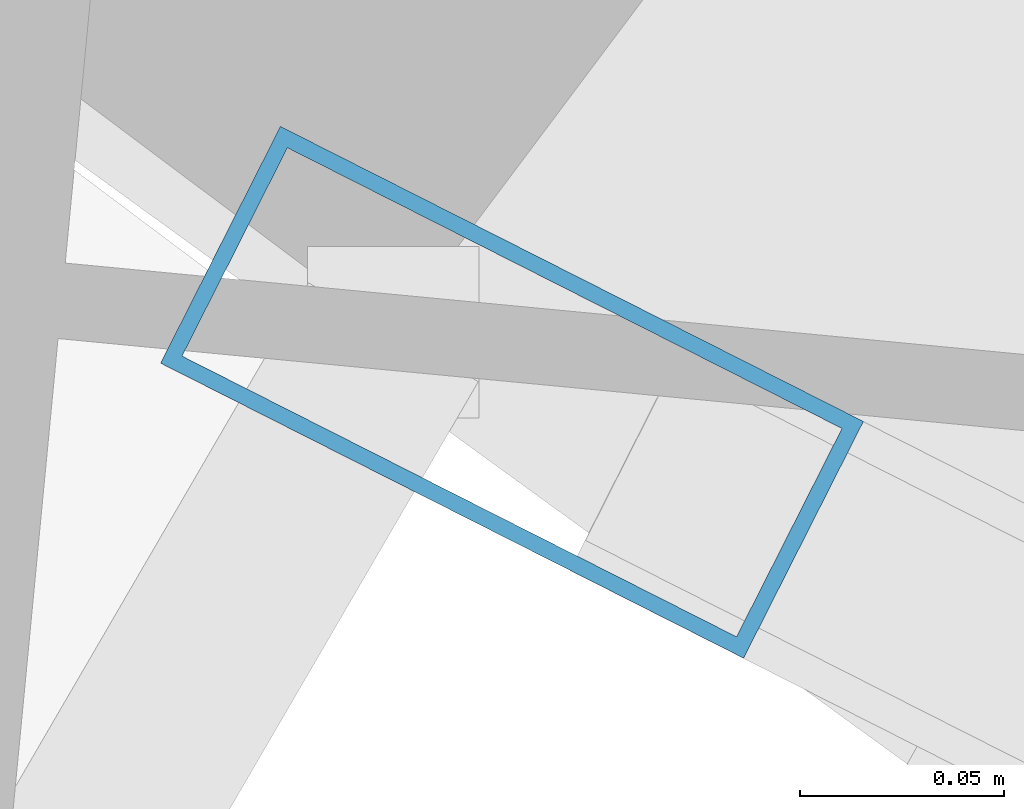
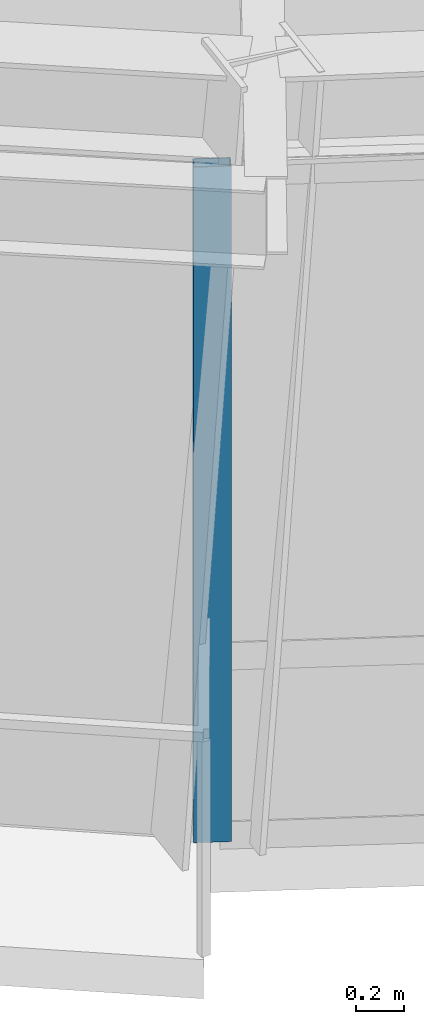
# One storey, part 2 of 21: 1 member, 1 element without a shape of its own.
"""IFC4 building model written with IfcOpenShell, lengths in metres."""

from ifc_helpers import new_model, si_unit, direction, frame, origin, origin_2d, place, context, subcontext, project, spatial, hollow_rectangle, extrude, source, transform, mapped, material, material_profile, profile_set, type_object, element, aggregate, save


model = new_model("IFC4")

# Units and contexts
model_context = context("Model", 3, precision=1e-05, world=origin(), true_north=direction((0.0, 1.0)))
body_context = subcontext(model_context, "Body", "Model", "MODEL_VIEW")
ifc_project = project(units=[si_unit("LENGTHUNIT", "METRE"), si_unit("AREAUNIT", "SQUARE_METRE"), si_unit("VOLUMEUNIT", "CUBIC_METRE"), si_unit("PLANEANGLEUNIT", "RADIAN"), si_unit("MASSUNIT", "GRAM", prefix="KILO")], contexts=[model_context])

# Site, building, storey
site_placement = place(None, origin())
site = spatial("IfcSite", under=ifc_project, at=site_placement, CompositionType="ELEMENT")
building_placement = place(site_placement, origin())
building = spatial("IfcBuilding", under=site, at=building_placement, Name="Olszyna Solenne Hotel", CompositionType="ELEMENT")
storey_placement = place(building_placement, frame((0.0, 0.0, 277.699951171875)))
storey = spatial("IfcBuildingStorey", under=building, at=storey_placement, Name="L74", CompositionType="ELEMENT", Elevation=277.699951171875)

# Curtain wall, member
ifc_material = material(Name="Anodised bronze aluminium", Category="aluminium")
curtain_wall_type = type_object("IfcCurtainWallType", Name="CW-SYS-7", PredefinedType="NOTDEFINED", material=ifc_material)
curtain_wall_placement = place(storey_placement, origin())
curtain_wall = element("IfcCurtainWall", 1, at=curtain_wall_placement, inside=storey, type_object=curtain_wall_type, Name="Unitised curtain wall CW-SYS-7 CW-L74-01", PredefinedType="NOTDEFINED")
ifc_material_profile = material_profile(ifc_material, hollow_rectangle(XDim=0.06494140625, YDim=0.159912109375, WallThickness=0.00390625, at=origin_2d()), Name="MULL 160x65x4", Category="load-bearing")
ifc_profile_set = profile_set([ifc_material_profile], Name="Anodised bronze aluminium")
member_type = type_object("IfcMemberType", Name="CW-M3", PredefinedType="MULLION", material=ifc_profile_set)
shared_shape = source(origin(), body_context, "Body", "SweptSolid", [
    extrude(hollow_rectangle(XDim=0.06494140625, YDim=0.159912109375, WallThickness=0.00390625, at=origin_2d()), origin(), (0.0, 0.0, 1.0), 3.462158203125),
])
member_placement = place(storey_placement, frame((30.005615234375, 12.874755859375, 0.0), z_axis=(0.0, 0.0, 1.0), x_axis=(0.451573987333, 0.892233676771, 0.0)))
member = element("IfcMember", 2, at=member_placement, type_object=member_type, Name="Curtain-wall mullion CW-M3 CM-L74-01-01", PredefinedType="MULLION", context=body_context, shape_type="MappedRepresentation", body=[
    mapped(shared_shape, transform((0.0, 0.0, 0.0), x_axis=(1.0, 0.0, 0.0), y_axis=(0.0, 1.0, 0.0), z_axis=(0.0, 0.0, 1.0), scale=1.0)),
])
aggregate(curtain_wall, [member])

save(model, "model.ifc")
